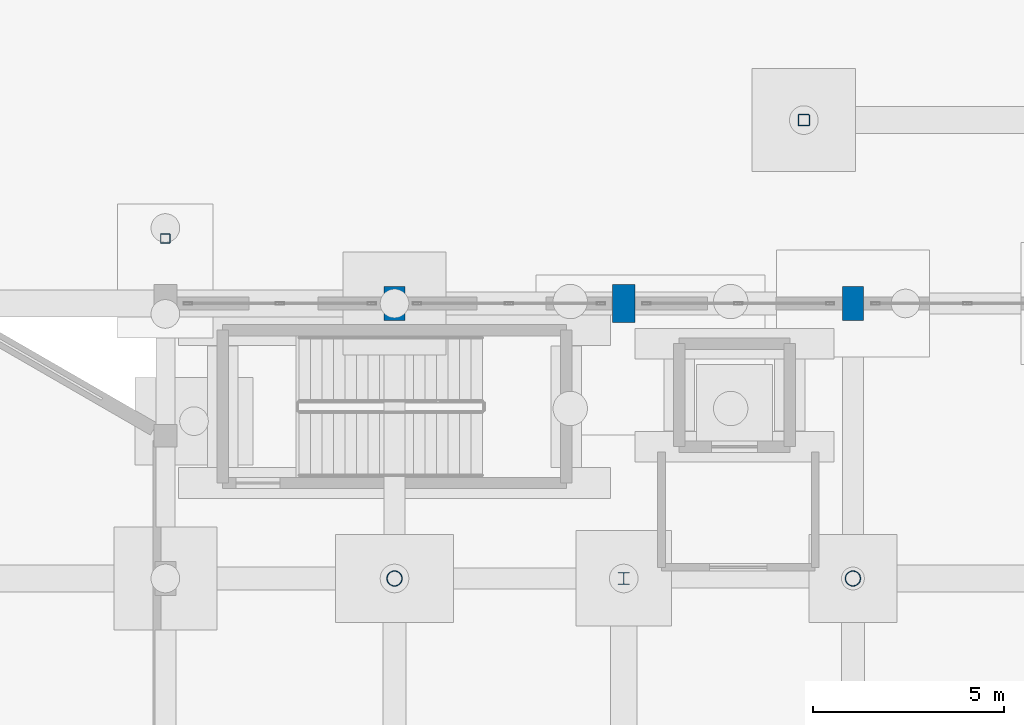
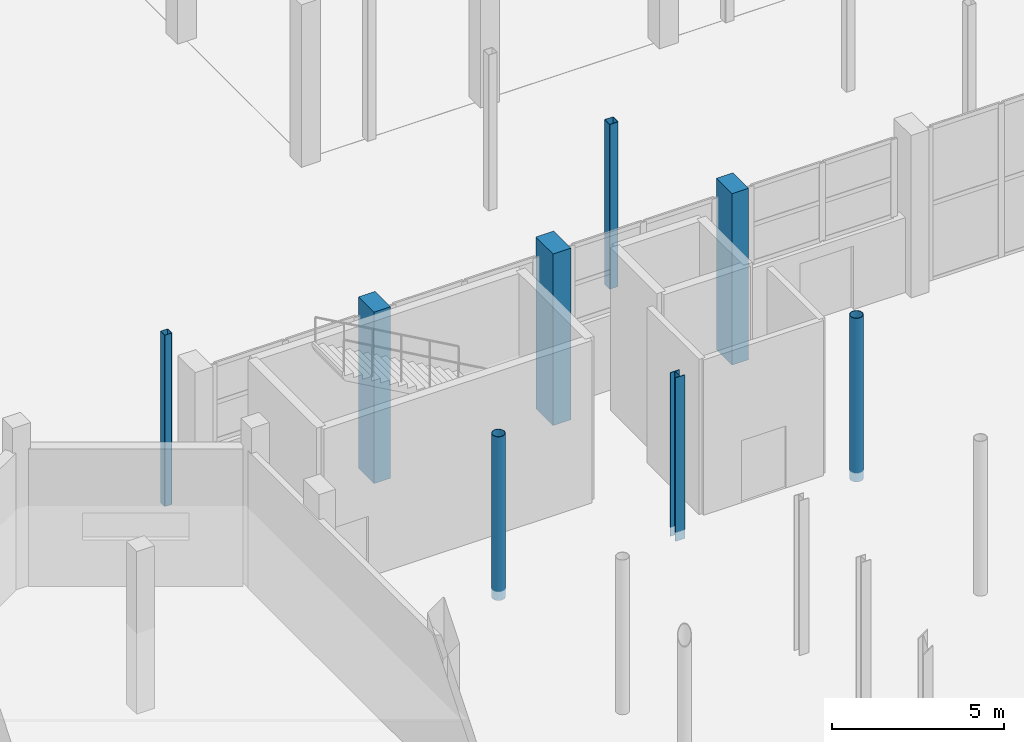
# One storey, part 24 of 103: 8 columns.
"""IFC4 building model written with IfcOpenShell, lengths in metres."""

from ifc_helpers import new_model, si_unit, direction, frame, origin, origin_2d, place, context, subcontext, project, spatial, rectangle, hollow_rectangle, hollow_circle, i_section, extrude, material, material_profile, profile_set, type_object, element, save


model = new_model("IFC4")

# Units and contexts
model_context = context("Model", 3, precision=1e-05, world=origin(), true_north=direction((0.0, 1.0)))
body_context = subcontext(model_context, "Body", "Model", "MODEL_VIEW")
ifc_project = project(units=[si_unit("LENGTHUNIT", "METRE"), si_unit("AREAUNIT", "SQUARE_METRE"), si_unit("VOLUMEUNIT", "CUBIC_METRE"), si_unit("PLANEANGLEUNIT", "RADIAN"), si_unit("MASSUNIT", "GRAM", prefix="KILO")], contexts=[model_context])

# Site, building, storey
site_placement = place(None, origin())
site = spatial("IfcSite", under=ifc_project, at=site_placement, CompositionType="ELEMENT")
building_placement = place(site_placement, origin())
building = spatial("IfcBuilding", under=site, at=building_placement, Name="Dunvalen Ferry Terminal", CompositionType="ELEMENT")
storey_placement = place(building_placement, origin())
storey = spatial("IfcBuildingStorey", under=building, at=storey_placement, Name="L00", CompositionType="ELEMENT", Elevation=0.0)

# Columns
ifc_material_1 = material(Name="Steel S355", Category="steel")
ifc_material_profile_1 = material_profile(ifc_material_1, hollow_circle(Radius=0.203125, WallThickness=0.01611328125, at=origin_2d()), Name="Steel S355")
ifc_profile_set_1 = profile_set([ifc_material_profile_1], Name="Steel S355")
column_type_1 = type_object("IfcColumnType", Name="STR-COL-CHS406", PredefinedType="COLUMN", material=ifc_profile_set_1)
for number, where, z_axis, x_axis, name in (
    (1, (18.0, 79.199951171875, -0.320068359375), (0.0, 0.0, 1.0), (1.0, 0.0, 0.0), "L00 Waiting Lounge Mezzanine Column 18-79"),
    (2, (30.0, 79.199951171875, -0.320068359375), (0.0, 0.0, 1.0), (1.0, 0.0, 0.0), "L00 Waiting Lounge Mezzanine Column 30-79"),
):
    element("IfcColumn", number, at=place(storey_placement, frame(where, z_axis=z_axis, x_axis=x_axis)), inside=storey, type_object=column_type_1, Name=name, PredefinedType="COLUMN", context=body_context, shape_type="SweptSolid", body=[
        extrude(hollow_circle(Radius=0.203125, WallThickness=0.01611328125, at=origin_2d()), origin(), (0.0, 0.0, 1.0), 5.800048828125),
    ])
ifc_material_2 = material(Name="Concrete C40/50", Category="concrete")
ifc_material_profile_2 = material_profile(ifc_material_2, rectangle(XDim=0.60009765625, YDim=1.0, at=origin_2d()), Name="Concrete C40/50")
ifc_profile_set_2 = profile_set([ifc_material_profile_2], Name="Concrete C40/50")
column_type_2 = type_object("IfcColumnType", Name="STR-COL-PIER1000", PredefinedType="COLUMN", material=ifc_profile_set_2)
column_1_placement = place(storey_placement, frame((24.0, 86.39990234375, -0.320068359375), z_axis=(0.0, 0.0, 1.0), x_axis=(1.0, 0.0, 0.0)))
element("IfcColumn", 3, at=column_1_placement, inside=storey, type_object=column_type_2, Name="L00 Departure Hall Perimeter Pier 18", PredefinedType="COLUMN", context=body_context, shape_type="SweptSolid", body=[
    extrude(rectangle(XDim=0.60009765625, YDim=1.0, at=origin_2d()), origin(), (0.0, 0.0, 1.0), 6.080078125),
])
ifc_material_profile_3 = material_profile(ifc_material_2, rectangle(XDim=0.550048828125, YDim=0.89990234375, at=origin_2d()), Name="Concrete C40/50")
ifc_profile_set_3 = profile_set([ifc_material_profile_3], Name="Concrete C40/50")
column_type_3 = type_object("IfcColumnType", Name="STR-COL-PIER900", PredefinedType="COLUMN", material=ifc_profile_set_3)
for number, where, z_axis, x_axis, name in (
    (4, (18.0, 86.39990234375, -0.320068359375), (0.0, 0.0, 1.0), (1.0, 0.0, 0.0), "L00 Departure Hall Perimeter Pier 17"),
    (5, (30.0, 86.39990234375, -0.320068359375), (0.0, 0.0, 1.0), (1.0, 0.0, 0.0), "L00 Departure Hall Perimeter Pier 19"),
):
    element("IfcColumn", number, at=place(storey_placement, frame(where, z_axis=z_axis, x_axis=x_axis)), inside=storey, type_object=column_type_3, Name=name, PredefinedType="COLUMN", context=body_context, shape_type="SweptSolid", body=[
        extrude(rectangle(XDim=0.550048828125, YDim=0.89990234375, at=origin_2d()), origin(), (0.0, 0.0, 1.0), 6.080078125),
    ])
ifc_material_profile_4 = material_profile(ifc_material_1, hollow_rectangle(XDim=0.25, YDim=0.25, WallThickness=0.010009765625, InnerFilletRadius=0.010009765625, OuterFilletRadius=0.02001953125, at=origin_2d()), Name="Steel S355")
ifc_profile_set_4 = profile_set([ifc_material_profile_4], Name="Steel S355")
column_type_4 = type_object("IfcColumnType", Name="STR-COL-SHS250", PredefinedType="COLUMN", material=ifc_profile_set_4)
column_2_placement = place(storey_placement, frame((12.0, 88.10009765625, -0.320068359375), z_axis=(0.0, 0.0, 1.0), x_axis=(1.0, 0.0, 0.0)))
element("IfcColumn", 6, at=column_2_placement, inside=storey, type_object=column_type_4, Name="L00 Eave Colonnade Post 1", PredefinedType="COLUMN", context=body_context, shape_type="SweptSolid", body=[
    extrude(hollow_rectangle(XDim=0.25, YDim=0.25, WallThickness=0.010009765625, InnerFilletRadius=0.010009765625, OuterFilletRadius=0.02001953125, at=origin_2d()), origin(), (0.0, 0.0, 1.0), 6.080078125),
])
ifc_material_profile_5 = material_profile(ifc_material_1, hollow_rectangle(XDim=0.300048828125, YDim=0.300048828125, WallThickness=0.012451171875, InnerFilletRadius=0.012451171875, OuterFilletRadius=0.02490234375, at=origin_2d()), Name="Steel S355")
ifc_profile_set_5 = profile_set([ifc_material_profile_5], Name="Steel S355")
column_type_5 = type_object("IfcColumnType", Name="STR-COL-SHS300", PredefinedType="COLUMN", material=ifc_profile_set_5)
column_3_placement = place(storey_placement, frame((28.7138671875, 91.199951171875, -0.320068359375), z_axis=(0.0, 0.0, 1.0), x_axis=(1.0, 0.0, 0.0)))
element("IfcColumn", 7, at=column_3_placement, inside=storey, type_object=column_type_5, Name="L00 Boarding Bridge 1 Marine Pier 1.2", PredefinedType="COLUMN", context=body_context, shape_type="SweptSolid", body=[
    extrude(hollow_rectangle(XDim=0.300048828125, YDim=0.300048828125, WallThickness=0.012451171875, InnerFilletRadius=0.012451171875, OuterFilletRadius=0.02490234375, at=origin_2d()), origin(), (0.0, 0.0, 1.0), 5.840087890625),
])
ifc_material_profile_6 = material_profile(ifc_material_1, i_section(OverallWidth=0.30908203125, OverallDepth=0.320556640625, WebThickness=0.013916015625, FlangeThickness=0.021728515625, FilletRadius=0.01513671875, at=origin_2d()), Name="Steel S355")
ifc_profile_set_6 = profile_set([ifc_material_profile_6], Name="Steel S355")
column_type_6 = type_object("IfcColumnType", Name="STR-COL-UKC305", PredefinedType="COLUMN", material=ifc_profile_set_6)
column_4_placement = place(storey_placement, frame((24.0, 79.199951171875, -0.320068359375), z_axis=(0.0, 0.0, 1.0), x_axis=(1.0, 0.0, 0.0)))
element("IfcColumn", 8, at=column_4_placement, inside=storey, type_object=column_type_6, Name="L00 Waiting Lounge Mezzanine Column 24-79", PredefinedType="COLUMN", context=body_context, shape_type="SweptSolid", body=[
    extrude(i_section(OverallWidth=0.30908203125, OverallDepth=0.320556640625, WebThickness=0.013916015625, FlangeThickness=0.021728515625, FilletRadius=0.01513671875, at=origin_2d()), origin(), (0.0, 0.0, 1.0), 5.800048828125),
])

save(model, "model.ifc")
